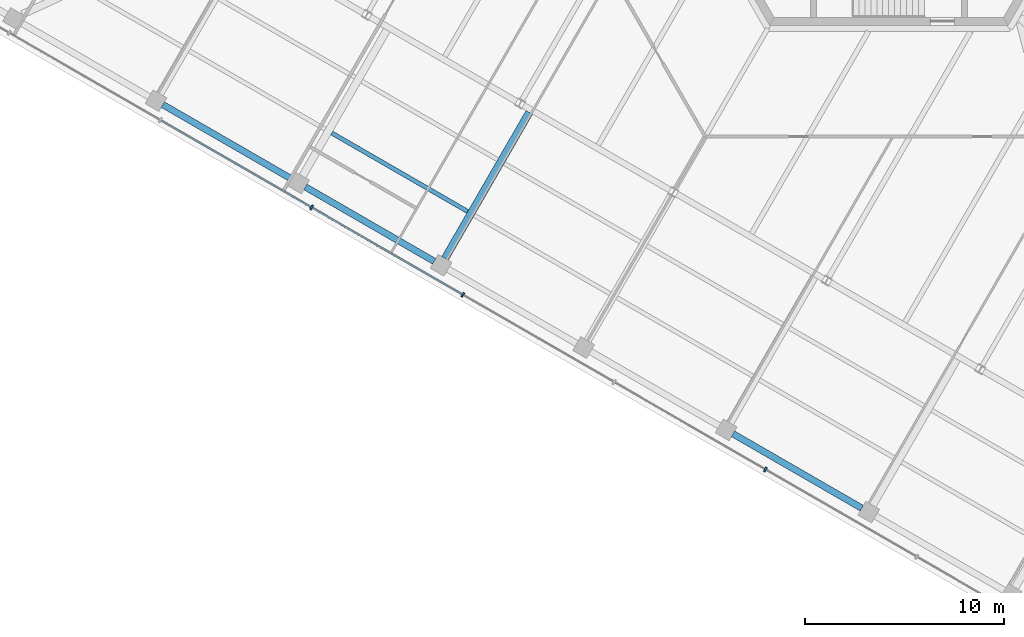
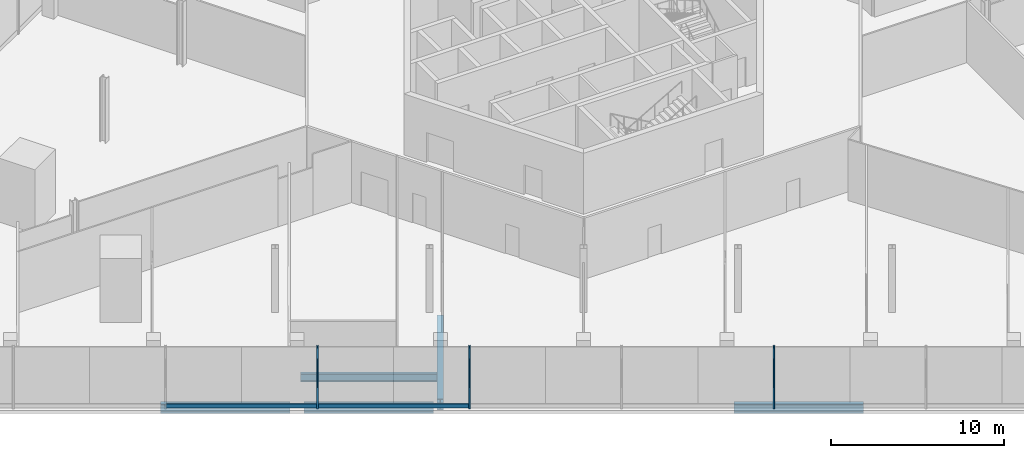
# One storey, part 5 of 25: 5 beams, 5 members, 1 element without a shape of its own.
"""IFC4 building model written with IfcOpenShell, lengths in metres."""

from ifc_helpers import new_model, si_unit, direction, frame, origin, origin_2d, place, context, subcontext, project, spatial, rectangle, i_section, extrude, source, transform, mapped, material, material_profile, profile_set, type_object, element, aggregate, save


model = new_model("IFC4")

# Units and contexts
model_context = context("Model", 3, precision=1e-05, world=origin(), true_north=direction((0.0, 1.0)))
body_context = subcontext(model_context, "Body", "Model", "MODEL_VIEW")
ifc_project = project(units=[si_unit("LENGTHUNIT", "METRE"), si_unit("AREAUNIT", "SQUARE_METRE"), si_unit("VOLUMEUNIT", "CUBIC_METRE"), si_unit("PLANEANGLEUNIT", "RADIAN"), si_unit("MASSUNIT", "GRAM", prefix="KILO")], contexts=[model_context])

# Site, building, storey
site_placement = place(None, origin())
site = spatial("IfcSite", under=ifc_project, at=site_placement, CompositionType="ELEMENT")
building_placement = place(site_placement, origin())
building = spatial("IfcBuilding", under=site, at=building_placement, Name="Triune Harvest Tower", CompositionType="ELEMENT")
storey_placement = place(building_placement, frame((0.0, 0.0, 11.5)))
storey = spatial("IfcBuildingStorey", under=building, at=storey_placement, Name="L02", CompositionType="ELEMENT", Elevation=11.5)

# Beams
ifc_material_1 = material(Name="Steel ASTM A992 Gr 50", Category="steel")
ifc_material_profile_1 = material_profile(ifc_material_1, i_section(OverallWidth=0.32763671875, OverallDepth=0.62744140625, WebThickness=0.0166015625, FlangeThickness=0.027587890625, at=origin_2d()), Name="W24x146")
ifc_profile_set_1 = profile_set([ifc_material_profile_1], Name="Steel ASTM A992 Gr 50")
beam_type_1 = type_object("IfcBeamType", Name="PD-4 Podium edge beam W24x146", PredefinedType="BEAM", material=ifc_profile_set_1)
shared_shape_1 = source(origin(), body_context, "Body", "SweptSolid", [
    extrude(i_section(OverallWidth=0.32763671875, OverallDepth=0.62744140625, WebThickness=0.0166015625, FlangeThickness=0.027587890625, at=origin_2d()), origin(), (0.0, 0.0, 1.0), 7.47998046875),
])
beam_1_placement = place(storey_placement, frame((-36.523193359375, -14.3798828125, -0.513671875), z_axis=(0.866008933936, -0.50002852553, 0.0), x_axis=(0.50002852553, 0.866008933936, 0.0)))
element("IfcBeam", 1, at=beam_1_placement, inside=storey, type_object=beam_type_1, Name="beam/L02/PE28", PredefinedType="BEAM", context=body_context, shape_type="MappedRepresentation", body=[
    mapped(shared_shape_1, transform((0.0, 0.0, 0.0), scale=1.0)),
])
shared_shape_2 = source(origin(), body_context, "Body", "SweptSolid", [
    extrude(i_section(OverallWidth=0.32763671875, OverallDepth=0.62744140625, WebThickness=0.0166015625, FlangeThickness=0.027587890625, at=origin_2d()), origin(), (0.0, 0.0, 1.0), 7.480224609375),
])
for number, where, z_axis, x_axis, name in (
    (2, (-29.3525390625, -18.52001953125, -0.513671875), (0.866031227086, -0.49998991361, 0.0), (0.49998991361, 0.866031227086, 0.0), "beam/L02/PE29"),
    (3, (-7.840576171875, -30.93994140625, -0.513671875), (0.866031227086, -0.49998991361, 0.0), (0.49998991361, 0.866031227086, 0.0), "beam/L02/PE32"),
):
    element("IfcBeam", number, at=place(storey_placement, frame(where, z_axis=z_axis, x_axis=x_axis)), inside=storey, type_object=beam_type_1, Name=name, PredefinedType="BEAM", context=body_context, shape_type="MappedRepresentation", body=[
        mapped(shared_shape_2, transform((0.0, 0.0, 0.0), scale=1.0)),
    ])
ifc_material_2 = material(Name="Steel ASTM A992 Gr 50", Category="steel")
ifc_material_profile_2 = material_profile(ifc_material_2, i_section(OverallWidth=0.381103515625, OverallDepth=0.772216796875, WebThickness=0.0166015625, FlangeThickness=0.027099609375, at=origin_2d()), Name="W30x173")
ifc_profile_set_2 = profile_set([ifc_material_profile_2], Name="Steel ASTM A992 Gr 50")
beam_type_2 = type_object("IfcBeamType", Name="PD-3 Podium girder W30x173", PredefinedType="BEAM", material=ifc_profile_set_2)
shared_shape_3 = source(origin(), body_context, "Body", "SweptSolid", [
    extrude(i_section(OverallWidth=0.381103515625, OverallDepth=0.772216796875, WebThickness=0.0166015625, FlangeThickness=0.027099609375, at=origin_2d()), origin(), (0.0, 0.0, 1.0), 8.48046875),
])
beam_2_placement = place(storey_placement, frame((-22.328125, -22.113525390625, -0.586181640625), z_axis=(0.500003221507, 0.866023543838, 0.0), x_axis=(-0.866023543838, 0.500003221507, 0.0)))
element("IfcBeam", 4, at=beam_2_placement, inside=storey, type_object=beam_type_2, Name="beam/L02/PR32", PredefinedType="BEAM", context=body_context, shape_type="MappedRepresentation", body=[
    mapped(shared_shape_3, transform((0.0, 0.0, 0.0), scale=1.0)),
])
ifc_material_3 = material(Name="Steel ASTM A992 Gr 50", Category="steel")
ifc_material_profile_3 = material_profile(ifc_material_3, i_section(OverallWidth=0.2138671875, OverallDepth=0.548583984375, WebThickness=0.0146484375, FlangeThickness=0.023681640625, at=origin_2d()), Name="W21x93")
ifc_profile_set_3 = profile_set([ifc_material_profile_3], Name="Steel ASTM A992 Gr 50")
beam_type_3 = type_object("IfcBeamType", Name="PD-5 Podium joist W21x93", PredefinedType="JOIST", material=ifc_profile_set_3)
shared_shape_4 = source(origin(), body_context, "Body", "SweptSolid", [
    extrude(i_section(OverallWidth=0.2138671875, OverallDepth=0.548583984375, WebThickness=0.0146484375, FlangeThickness=0.023681640625, at=origin_2d()), origin(), (0.0, 0.0, 1.0), 7.899169921875),
])
beam_3_placement = place(storey_placement, frame((-28.028076171875, -15.806884765625, -0.474365234375), z_axis=(0.866030148722, -0.499991781437, 0.0), x_axis=(0.499991781437, 0.866030148722, 0.0)))
element("IfcBeam", 5, at=beam_3_placement, inside=storey, type_object=beam_type_3, Name="beam/L02/PJ63", PredefinedType="JOIST", context=body_context, shape_type="MappedRepresentation", body=[
    mapped(shared_shape_4, transform((0.0, 0.0, 0.0), scale=1.0)),
])

# Curtain wall, members
ifc_material_4 = material(Name="Aluminium bronze anodised", Category="aluminium")
curtain_wall_type = type_object("IfcCurtainWallType", Name="CW-2 Podium shopfront wall", PredefinedType="NOTDEFINED", material=ifc_material_4)
curtain_wall_placement = place(storey_placement, origin())
curtain_wall = element("IfcCurtainWall", 6, at=curtain_wall_placement, inside=storey, type_object=curtain_wall_type, Name="CW-2 PD-F5 L02 run 1")
ifc_material_5 = material(Name="Aluminium bronze anodised", Category="aluminium")
ifc_material_profile_4 = material_profile(ifc_material_5, rectangle(XDim=0.25, YDim=0.090087890625, at=origin_2d()), Name="MU-2 mullion 90 x 250")
ifc_profile_set_4 = profile_set([ifc_material_profile_4], Name="Aluminium bronze anodised")
member_type_1 = type_object("IfcMemberType", Name="MU-2 mullion 90 x 250", PredefinedType="MULLION", material=ifc_profile_set_4)
shared_shape_5 = source(origin(), body_context, "Body", "SweptSolid", [
    extrude(rectangle(XDim=0.25, YDim=0.090087890625, at=origin_2d()), origin(), (0.0, 0.0, 1.0), 4.300048828125),
])
member_1_placement = place(storey_placement, frame((-29.043701171875, -19.5517578125, 0.0), z_axis=(0.0, 0.0, 1.0), x_axis=(0.500000221117, 0.866025276122, 0.0)))
member_1 = element("IfcMember", 7, at=member_1_placement, type_object=member_type_1, Name="CW-2 mullion PD-F5 1.7", PredefinedType="MULLION", context=body_context, shape_type="MappedRepresentation", body=[
    mapped(shared_shape_5, transform((0.0, 0.0, 0.0), scale=1.0)),
])
member_2_placement = place(storey_placement, frame((-21.434326171875, -23.945068359375, 0.0), z_axis=(0.0, 0.0, 1.0), x_axis=(0.500000221117, 0.866025276122, 0.0)))
member_2 = element("IfcMember", 8, at=member_2_placement, type_object=member_type_1, Name="CW-2 mullion PD-F5 1.9", PredefinedType="MULLION", context=body_context, shape_type="MappedRepresentation", body=[
    mapped(shared_shape_5, transform((0.0, 0.0, 0.0), scale=1.0)),
])
member_3_placement = place(storey_placement, frame((-6.21533203125, -32.73193359375, 0.0), z_axis=(0.0, 0.0, 1.0), x_axis=(0.500000221117, 0.866025276122, 0.0)))
member_3 = element("IfcMember", 9, at=member_3_placement, type_object=member_type_1, Name="CW-2 mullion PD-F5 1.13", PredefinedType="MULLION", context=body_context, shape_type="MappedRepresentation", body=[
    mapped(shared_shape_5, transform((0.0, 0.0, 0.0), scale=1.0)),
])
ifc_material_6 = material(Name="Aluminium bronze anodised", Category="aluminium")
ifc_material_profile_5 = material_profile(ifc_material_6, rectangle(XDim=0.10009765625, YDim=0.300048828125, at=origin_2d()), Name="TR-2 transom 100 x 300")
ifc_profile_set_5 = profile_set([ifc_material_profile_5], Name="Aluminium bronze anodised")
member_type_2 = type_object("IfcMemberType", Name="TR-2 transom 100 x 300", PredefinedType="USERDEFINED", material=ifc_profile_set_5)
shared_shape_6 = source(origin(), body_context, "Body", "SweptSolid", [
    extrude(rectangle(XDim=0.10009765625, YDim=0.300048828125, at=origin_2d()), origin(), (0.0, 0.0, 1.0), 8.69677734375),
])
member_4_placement = place(storey_placement, frame((-36.6142578125, -15.180908203125, 0.14990234375), z_axis=(0.86602149507, -0.500006770031, 0.0), x_axis=(0.500006770031, 0.86602149507, 0.0)))
member_4 = element("IfcMember", 10, at=member_4_placement, type_object=member_type_2, Name="CW-2 transom PD-F5 1.3", ObjectType="TRANSOM", PredefinedType="USERDEFINED", context=body_context, shape_type="MappedRepresentation", body=[
    mapped(shared_shape_6, transform((0.0, 0.0, 0.0), scale=1.0)),
])
member_5_placement = place(storey_placement, frame((-29.0048828125, -19.574462890625, 0.14990234375), z_axis=(0.866040668696, -0.499973559465, 0.0), x_axis=(0.499973559465, 0.866040668696, 0.0)))
member_5 = element("IfcMember", 11, at=member_5_placement, type_object=member_type_2, Name="CW-2 transom PD-F5 1.4", ObjectType="TRANSOM", PredefinedType="USERDEFINED", context=body_context, shape_type="MappedRepresentation", body=[
    mapped(shared_shape_6, transform((0.0, 0.0, 0.0), scale=1.0)),
])
aggregate(curtain_wall, [member_1, member_2, member_3, member_4, member_5])

save(model, "model.ifc")
